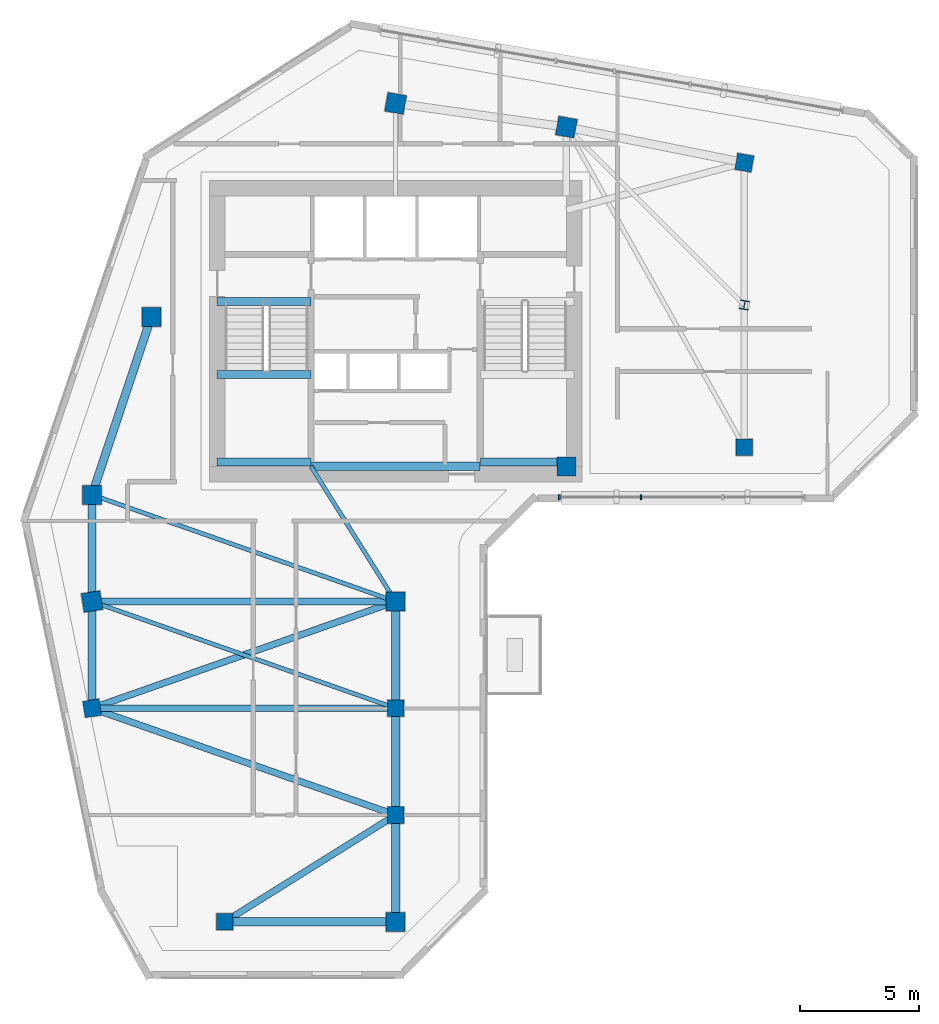
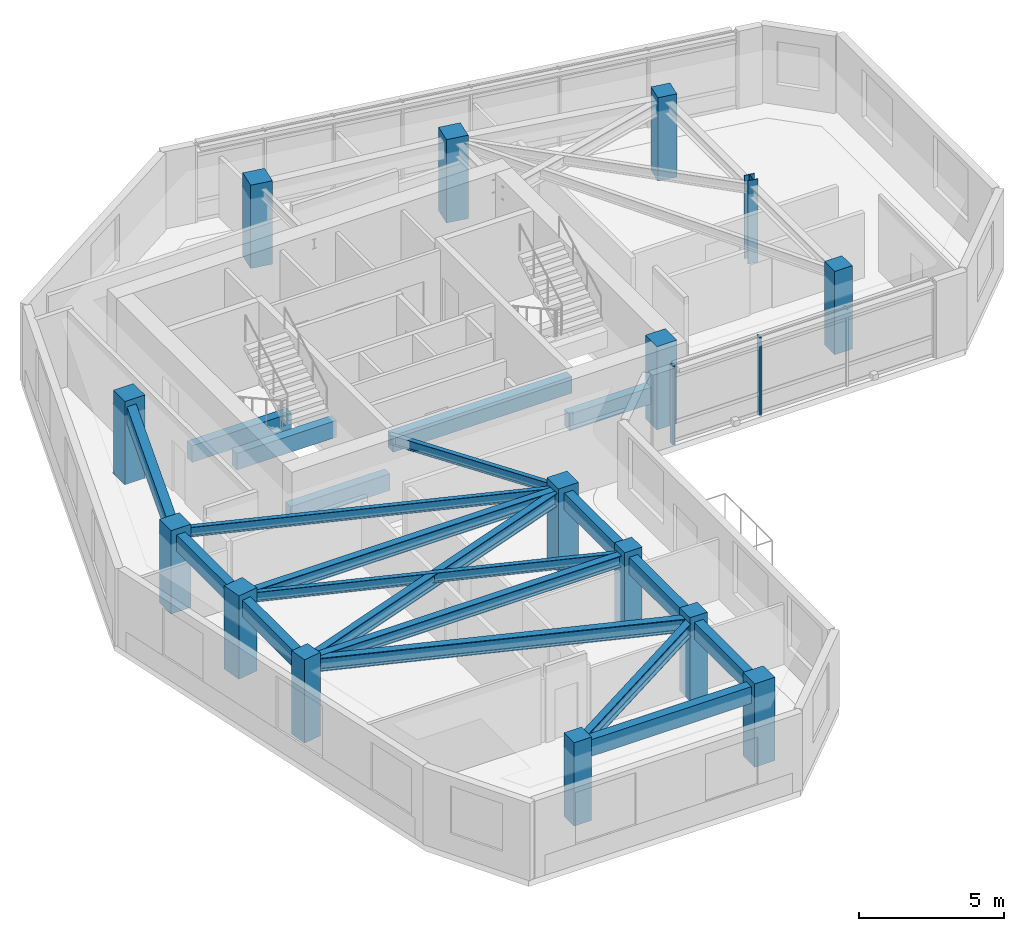
# One storey, part 1 of 9: 20 beams, 15 columns, 2 members, 1 element without a shape of its own.
"""IFC4 building model written with IfcOpenShell, lengths in metres."""

import ifcopenshell
import ifcopenshell.guid

model = None  # the IFC model being written
_history = None  # IfcOwnerHistory: only IFC2X3 demands one
_inside = {}  # id of a spatial element -> (the spatial element, [elements in it])
_under = {}  # id of a project, library or spatial element -> (it, [spatial elements below it])
_declared = {}  # id of a project -> (the project, [libraries it declares])
_typed = {}  # id of a type object -> (the type object, [elements of that type])
_made_of = {}  # id of a material, layer set ... -> (it, [elements and type objects made of it])


def new_model(schema):
    """Start an empty IFC model of exactly this schema.

    Asked for "IFC4X3", IfcOpenShell would pick the latest addendum, in which some entities
    have other attributes; the version numbers below select the first issue.
    IFC2X3 requires an IfcOwnerHistory on every rooted entity: one is made here for all.
    """
    global model, _history
    if schema == "IFC4X3":
        model = ifcopenshell.file(schema_version=(4, 3, 0, 0))
    else:
        model = ifcopenshell.file(schema=schema)
    _inside.clear()
    _under.clear()
    _declared.clear()
    _typed.clear()
    _made_of.clear()
    _history = None
    if model.schema == "IFC2X3":
        org = make("IfcOrganization", Name="unknown")
        user = make(
            "IfcPersonAndOrganization",
            ThePerson=make("IfcPerson", FamilyName="unknown"),
            TheOrganization=org,
        )
        app = make(
            "IfcApplication",
            ApplicationDeveloper=org,
            Version="unknown",
            ApplicationFullName="unknown",
            ApplicationIdentifier="unknown",
        )
        _history = make(
            "IfcOwnerHistory",
            OwningUser=user,
            OwningApplication=app,
            ChangeAction="ADDED",
            CreationDate=0,
        )
    return model


def make(cls, **values):
    """One entity of the class cls with the attributes given. An attribute that is None is left unset."""
    return model.create_entity(
        cls, **{name: value for name, value in values.items() if value is not None}
    )


def rooted(cls, **values):
    """An entity with a GlobalId (a new one), such as an element, a storey or a relation."""
    return make(cls, GlobalId=ifcopenshell.guid.new(), OwnerHistory=_history, **values)


def si_unit(unit_type, name, prefix=None):
    """IfcSIUnit, for example si_unit("LENGTHUNIT", "METRE", prefix="MILLI")."""
    return make("IfcSIUnit", UnitType=unit_type, Prefix=prefix, Name=name)


def assignment(units):
    """IfcUnitAssignment: the units of a project."""
    return None if units is None else make("IfcUnitAssignment", Units=units)


def point(xyz):
    """IfcCartesianPoint."""
    return None if xyz is None else make("IfcCartesianPoint", Coordinates=xyz)


def direction(xyz):
    """IfcDirection."""
    return None if xyz is None else make("IfcDirection", DirectionRatios=xyz)


def frame(location, z_axis=None, x_axis=None):
    """IfcAxis2Placement3D, a coordinate frame: its origin and axes. An axis left out is left unset."""
    return make(
        "IfcAxis2Placement3D",
        Location=point(location),
        Axis=direction(z_axis),
        RefDirection=direction(x_axis),
    )


def frame_2d(location, x_axis=None):
    """IfcAxis2Placement2D, a coordinate frame in the plane: its origin and x axis."""
    return make(
        "IfcAxis2Placement2D", Location=point(location), RefDirection=direction(x_axis)
    )


def origin():
    """The frame at (0, 0, 0) with its axes left unset."""
    return frame((0.0, 0.0, 0.0))


def origin_2d():
    """The frame at (0, 0) in the plane with its x axis left unset."""
    return frame_2d((0.0, 0.0))


def place(relative_to, where):
    """IfcLocalPlacement: puts the frame where relative to a parent placement (None: the world)."""
    return make(
        "IfcLocalPlacement", PlacementRelTo=relative_to, RelativePlacement=where
    )


def context(
    kind, dimensions, precision=None, world=None, true_north=None, identifier=None
):
    """IfcGeometricRepresentationContext, for example the 3D "Model" context."""
    return make(
        "IfcGeometricRepresentationContext",
        ContextIdentifier=identifier,
        ContextType=kind,
        CoordinateSpaceDimension=dimensions,
        Precision=precision,
        WorldCoordinateSystem=world,
        TrueNorth=true_north,
    )


def subcontext(parent, identifier, kind, view, scale=None):
    """IfcGeometricRepresentationSubContext, for example "Body" below "Model"."""
    return make(
        "IfcGeometricRepresentationSubContext",
        ContextIdentifier=identifier,
        ContextType=kind,
        ParentContext=parent,
        TargetScale=scale,
        TargetView=view,
    )


def project(units=None, contexts=None):
    """IfcProject with its units and contexts."""
    return rooted(
        "IfcProject",
        Name="project",
        RepresentationContexts=contexts,
        UnitsInContext=assignment(units),
    )


def spatial(cls, under=None, at=None, **own):
    """A site, building, storey or space (cls), placed at a placement, below another one or the project."""
    s = rooted(cls, ObjectPlacement=at, **own)
    if under is not None:
        _under.setdefault(under.id(), (under, []))[1].append(s)
    return s


def profile(cls, at=None, kind="AREA", **sizes):
    """A parametric profile (cls). Its sizes go by their IFC names, for example OverallWidth=200.0."""
    return make(cls, ProfileType=kind, Position=at, **sizes)


def rectangle(**sizes):
    """IfcRectangleProfileDef."""
    return profile("IfcRectangleProfileDef", **sizes)


def i_section(**sizes):
    """IfcIShapeProfileDef."""
    return profile("IfcIShapeProfileDef", **sizes)


def extrude(swept, where, along, depth):
    """IfcExtrudedAreaSolid: the profile swept, set in the frame where, extruded along a direction by depth."""
    return make(
        "IfcExtrudedAreaSolid",
        SweptArea=swept,
        Position=where,
        ExtrudedDirection=direction(along),
        Depth=depth,
    )


def shape(context_of_items, identifier, shape_type, items):
    """IfcShapeRepresentation: the items that make up one representation, for example the "Body"."""
    return make(
        "IfcShapeRepresentation",
        ContextOfItems=context_of_items,
        RepresentationIdentifier=identifier,
        RepresentationType=shape_type,
        Items=items,
    )


def source(mapping_origin, context_of_items, identifier, shape_type, items):
    """IfcRepresentationMap: a shape defined once, which mapped items show again and again."""
    return make(
        "IfcRepresentationMap",
        MappingOrigin=mapping_origin,
        MappedRepresentation=shape(context_of_items, identifier, shape_type, items),
    )


def transform(
    local_origin,
    x_axis=None,
    y_axis=None,
    z_axis=None,
    scale=None,
    scale2=None,
    scale3=None,
    uniform=True,
):
    """IfcCartesianTransformationOperator3D, or its non-uniform kind. x_axis, y_axis, z_axis: its Axis1, 2, 3."""
    if uniform:
        return make(
            "IfcCartesianTransformationOperator3D",
            Axis1=direction(x_axis),
            Axis2=direction(y_axis),
            LocalOrigin=point(local_origin),
            Scale=scale,
            Axis3=direction(z_axis),
        )
    return make(
        "IfcCartesianTransformationOperator3DnonUniform",
        Axis1=direction(x_axis),
        Axis2=direction(y_axis),
        LocalOrigin=point(local_origin),
        Scale=scale,
        Axis3=direction(z_axis),
        Scale2=scale2,
        Scale3=scale3,
    )


def mapped(mapping_source, mapping_target):
    """IfcMappedItem: shows the shape of a source again, moved by a transform."""
    return make(
        "IfcMappedItem", MappingSource=mapping_source, MappingTarget=mapping_target
    )


def material(Name=None, Category=None):
    """IfcMaterial."""
    return make("IfcMaterial", Name=Name, Category=Category)


def material_profile(
    of_material, cross_section, Name=None, Category=None, Priority=None
):
    """IfcMaterialProfile: a cross section and its material."""
    return make(
        "IfcMaterialProfile",
        Name=Name,
        Material=of_material,
        Profile=cross_section,
        Priority=Priority,
        Category=Category,
    )


def profile_set(profiles, Name=None, composite=None):
    """IfcMaterialProfileSet."""
    return make(
        "IfcMaterialProfileSet",
        Name=Name,
        MaterialProfiles=profiles,
        CompositeProfile=composite,
    )


def made_of(thing, what):
    """Note that an element or type object is made of a material, layer set ...; save() writes the relation."""
    if what is not None:
        _made_of.setdefault(what.id(), (what, []))[1].append(thing)
    return thing


def type_object(cls, material=None, **own):
    """A type object (cls), such as IfcWallType, which elements share."""
    return made_of(rooted(cls, **own), material)


def element(
    cls,
    number,
    at=None,
    inside=None,
    cuts=None,
    type_object=None,
    material=None,
    context=None,
    identifier="Body",
    shape_type=None,
    held_by="IfcProductDefinitionShape",
    body=None,
    shapes=None,
    **own,
):
    """One element of the class cls, such as IfcWall. Its Tag is "e" and its number.

    at: its placement. inside: the storey or other place that contains it. cuts: it is an
    opening in that element (IfcRelVoidsElement). A single representation is given by context,
    identifier, shape_type and body (its items); several are given by shapes. held_by: the class
    of the entity that holds the representations. save() writes the other relations.
    """
    e = rooted(cls, Tag="e%d" % number, ObjectPlacement=at, **own)
    if body is not None:
        shapes = [shape(context, identifier, shape_type, body)]
    if shapes is not None:
        e.Representation = make(held_by, Representations=shapes)
    if inside is not None:
        _inside.setdefault(inside.id(), (inside, []))[1].append(e)
    if cuts is not None:
        rooted(
            "IfcRelVoidsElement", RelatingBuildingElement=cuts, RelatedOpeningElement=e
        )
    if type_object is not None:
        _typed.setdefault(type_object.id(), (type_object, []))[1].append(e)
    return made_of(e, material)


def aggregate(whole, parts):
    """IfcRelAggregates: a whole, such as a stair, and the parts it consists of."""
    return rooted("IfcRelAggregates", RelatingObject=whole, RelatedObjects=parts)


def save(model, path):
    """Write the relations noted so far, then the file.

    IfcRelAggregates (storeys below a building ...), IfcRelContainedInSpatialStructure (elements
    in a storey), IfcRelDefinesByType, IfcRelAssociatesMaterial and IfcRelDeclares: one each for
    every whole, place, type object, material and project.
    """
    for whole, parts in _under.values():
        aggregate(whole, parts)
    for where, things in _inside.values():
        rooted(
            "IfcRelContainedInSpatialStructure",
            RelatedElements=things,
            RelatingStructure=where,
        )
    for kind, things in _typed.values():
        rooted("IfcRelDefinesByType", RelatedObjects=things, RelatingType=kind)
    for what, things in _made_of.values():
        rooted("IfcRelAssociatesMaterial", RelatedObjects=things, RelatingMaterial=what)
    for by, libraries in _declared.values():
        rooted("IfcRelDeclares", RelatingContext=by, RelatedDefinitions=libraries)
    model.write(path)


model = new_model("IFC4")

# Units and contexts
model_context = context("Model", 3, precision=1e-05, world=origin(), true_north=direction((0.0, 1.0)))
body_context = subcontext(model_context, "Body", "Model", "MODEL_VIEW")
ifc_project = project(units=[si_unit("LENGTHUNIT", "METRE"), si_unit("AREAUNIT", "SQUARE_METRE"), si_unit("VOLUMEUNIT", "CUBIC_METRE"), si_unit("PLANEANGLEUNIT", "RADIAN"), si_unit("MASSUNIT", "GRAM", prefix="KILO")], contexts=[model_context])

# Site, building, storey
site_placement = place(None, origin())
site = spatial("IfcSite", under=ifc_project, at=site_placement, CompositionType="ELEMENT")
building_placement = place(site_placement, origin())
building = spatial("IfcBuilding", under=site, at=building_placement, Name="Calvemar Wedge Station Tower", CompositionType="ELEMENT")
storey_placement = place(building_placement, frame((0.0, 0.0, 235.89990234375)))
storey = spatial("IfcBuildingStorey", under=building, at=storey_placement, Name="L60", CompositionType="ELEMENT", Elevation=235.89990234375)

# Columns
ifc_material_1 = material(Name="Concrete C50", Category="concrete")
ifc_material_profile_1 = material_profile(ifc_material_1, rectangle(XDim=0.800048828125, YDim=0.800048828125, at=origin_2d()), Name="RC800x800")
ifc_profile_set_1 = profile_set([ifc_material_profile_1], Name="Concrete C50")
column_type_1 = type_object("IfcColumnType", Name="COL-C6-800", PredefinedType="COLUMN", material=ifc_profile_set_1)
shared_shape_1 = source(origin(), body_context, "Body", "SweptSolid", [
    extrude(rectangle(XDim=0.800048828125, YDim=0.800048828125, at=origin_2d()), origin(), (0.0, 0.0, 1.0), 3.5),
])
for number, where, z_axis, x_axis, name in (
    (1, (11.0, 33.0, 0.0), (0.0, 0.0, 1.0), (1.0, 0.0, 0.0), "Storey L60 Column T-NW1"),
    (2, (13.5, 40.5, 0.0), (0.0, 0.0, 1.0), (1.0, 0.0, 0.0), "Storey L60 Column T-NW2"),
    (3, (23.800048828125, 49.5, 0.0), (0.0, 0.0, 1.0), (0.984195607969, -0.17708474032, 0.0), "Storey L60 Column T-N1"),
    (4, (31.0, 48.5, 0.0), (0.0, 0.0, 1.0), (0.984195607969, -0.17708474032, 0.0), "Storey L60 Column T-N2"),
    (5, (31.0, 34.199951171875, 0.0), (0.0, 0.0, 1.0), (1.0, 0.0, 0.0), "Storey L60 Column T-NL1"),
    (6, (11.0, 28.5, 0.0), (0.0, 0.0, 1.0), (0.158158067254, -0.987413806751, 0.0), "Storey L60 Column T-SW1"),
    (7, (23.800048828125, 28.5, 0.0), (0.0, 0.0, 1.0), (1.0, 0.0, 0.0), "Storey L60 Column T-SE1"),
    (8, (23.800048828125, 15.0, 0.0), (0.0, 0.0, 1.0), (1.0, 0.0, 0.0), "Storey L60 Column T-SE4"),
):
    element("IfcColumn", number, at=place(storey_placement, frame(where, z_axis=z_axis, x_axis=x_axis)), inside=storey, type_object=column_type_1, Name=name, PredefinedType="COLUMN", context=body_context, shape_type="MappedRepresentation", body=[
        mapped(shared_shape_1, transform((0.0, 0.0, 0.0), scale=1.0)),
    ])
ifc_material_profile_2 = material_profile(ifc_material_1, rectangle(XDim=0.699951171875, YDim=0.699951171875, at=origin_2d()), Name="RC700x700")
ifc_profile_set_2 = profile_set([ifc_material_profile_2], Name="Concrete C50")
column_type_2 = type_object("IfcColumnType", Name="COL-C7-700", PredefinedType="COLUMN", material=ifc_profile_set_2)
shared_shape_2 = source(origin(), body_context, "Body", "SweptSolid", [
    extrude(rectangle(XDim=0.699951171875, YDim=0.699951171875, at=origin_2d()), origin(), (0.0, 0.0, 1.0), 3.5),
])
for number, where, z_axis, x_axis, name in (
    (9, (38.5, 47.0, 0.0), (0.0, 0.0, 1.0), (0.984195607969, -0.17708474032, 0.0), "Storey L60 Column T-NU3"),
    (10, (38.5, 35.0, 0.0), (0.0, 0.0, 1.0), (1.0, 0.0, 0.0), "Storey L60 Column T-NL2"),
    (11, (11.0, 24.0, 0.0), (0.0, 0.0, 1.0), (0.158158067254, -0.987413806751, 0.0), "Storey L60 Column T-SW2"),
    (12, (23.800048828125, 24.0, 0.0), (0.0, 0.0, 1.0), (1.0, 0.0, 0.0), "Storey L60 Column T-SE2"),
    (13, (23.800048828125, 19.5, 0.0), (0.0, 0.0, 1.0), (1.0, 0.0, 0.0), "Storey L60 Column T-SE3"),
    (14, (16.60009765625, 15.0, 0.0), (0.0, 0.0, 1.0), (1.0, 0.0, 0.0), "Storey L60 Column T-SM1"),
):
    element("IfcColumn", number, at=place(storey_placement, frame(where, z_axis=z_axis, x_axis=x_axis)), inside=storey, type_object=column_type_2, Name=name, PredefinedType="COLUMN", context=body_context, shape_type="MappedRepresentation", body=[
        mapped(shared_shape_2, transform((0.0, 0.0, 0.0), scale=1.0)),
    ])
ifc_material_2 = material(Name="Structural steel ASTM A572 Grade 50", Category="steel")
ifc_material_profile_3 = material_profile(ifc_material_2, i_section(OverallWidth=0.3740234375, OverallDepth=0.3720703125, WebThickness=0.016357421875, FlangeThickness=0.026123046875, FilletRadius=0.014892578125, at=origin_2d()), Name="W360x196")
ifc_profile_set_3 = profile_set([ifc_material_profile_3], Name="Structural steel ASTM A572 Grade 50")
column_type_3 = type_object("IfcColumnType", Name="COL-STL-W360", PredefinedType="COLUMN", material=ifc_profile_set_3)
shared_shape_3 = source(origin(), body_context, "Body", "SweptSolid", [
    extrude(i_section(OverallWidth=0.3740234375, OverallDepth=0.3720703125, WebThickness=0.016357421875, FlangeThickness=0.026123046875, FilletRadius=0.014892578125, at=origin_2d()), origin(), (0.0, 0.0, 1.0), 3.5),
])
column_placement = place(storey_placement, frame((38.5, 41.0, 0.0), z_axis=(0.0, 0.0, 1.0), x_axis=(0.984195607969, -0.17708474032, 0.0)))
element("IfcColumn", 15, at=column_placement, inside=storey, type_object=column_type_3, Name="Storey L60 Column T-NTIP-B", PredefinedType="COLUMN", context=body_context, shape_type="MappedRepresentation", body=[
    mapped(shared_shape_3, transform((0.0, 0.0, 0.0), scale=1.0)),
])

# Beams
ifc_material_profile_4 = material_profile(ifc_material_2, i_section(OverallWidth=0.177978515625, OverallDepth=0.406982421875, WebThickness=0.0078125, FlangeThickness=0.0126953125, FilletRadius=0.010009765625, at=origin_2d()), Name="W410x60")
ifc_profile_set_4 = profile_set([ifc_material_profile_4], Name="Structural steel ASTM A572 Grade 50")
beam_type_1 = type_object("IfcBeamType", Name="BM-J3-W410", PredefinedType="JOIST", material=ifc_profile_set_4)
shared_shape_4 = source(origin(), body_context, "Body", "SweptSolid", [
    extrude(i_section(OverallWidth=0.177978515625, OverallDepth=0.406982421875, WebThickness=0.0078125, FlangeThickness=0.0126953125, FilletRadius=0.010009765625, at=origin_2d()), origin(), (0.0, 0.0, 1.0), 13.568115234375),
])
for number, where, z_axis, x_axis, name in (
    (16, (11.0, 33.0, 3.046630859375), (0.943398221169, -0.331662171939, 0.0), (0.331662171939, 0.943398221169, 0.0), "Storey L60 Floor Beam T-NW1-T-SE1"),
    (17, (11.0, 28.5, 3.046630859375), (0.943398221169, -0.331662171939, 0.0), (0.331662171939, 0.943398221169, 0.0), "Storey L60 Floor Beam T-SW1-T-SE2"),
):
    element("IfcBeam", number, at=place(storey_placement, frame(where, z_axis=z_axis, x_axis=x_axis)), inside=storey, type_object=beam_type_1, Name=name, PredefinedType="JOIST", context=body_context, shape_type="MappedRepresentation", body=[
        mapped(shared_shape_4, transform((0.0, 0.0, 0.0), scale=1.0)),
    ])
ifc_material_profile_5 = material_profile(ifc_material_2, i_section(OverallWidth=0.279052734375, OverallDepth=0.553955078125, WebThickness=0.017578125, FlangeThickness=0.029541015625, FilletRadius=0.014892578125, at=origin_2d()), Name="W530x196")
ifc_profile_set_5 = profile_set([ifc_material_profile_5], Name="Structural steel ASTM A572 Grade 50")
beam_type_2 = type_object("IfcBeamType", Name="BM-SB3-W530H", PredefinedType="BEAM", material=ifc_profile_set_5)
shared_shape_5 = source(origin(), body_context, "Body", "SweptSolid", [
    extrude(i_section(OverallWidth=0.279052734375, OverallDepth=0.553955078125, WebThickness=0.017578125, FlangeThickness=0.029541015625, FilletRadius=0.014892578125, at=origin_2d()), origin(), (0.0, 0.0, 1.0), 13.568115234375),
])
for number, where, z_axis, x_axis, name in (
    (18, (23.800048828125, 28.5, 2.97314453125), (-0.943398221169, -0.331662171939, 0.0), (0.331662171939, -0.943398221169, 0.0), "Storey L60 Floor Beam T-SE1-T-SW2"),
    (19, (11.0, 24.0, 2.97314453125), (0.943398221169, -0.331662171939, 0.0), (0.331662171939, 0.943398221169, 0.0), "Storey L60 Floor Beam T-SW2-T-SE3"),
):
    element("IfcBeam", number, at=place(storey_placement, frame(where, z_axis=z_axis, x_axis=x_axis)), inside=storey, type_object=beam_type_2, Name=name, PredefinedType="BEAM", context=body_context, shape_type="MappedRepresentation", body=[
        mapped(shared_shape_5, transform((0.0, 0.0, 0.0), scale=1.0)),
    ])
shared_shape_6 = source(origin(), body_context, "Body", "SweptSolid", [
    extrude(i_section(OverallWidth=0.279052734375, OverallDepth=0.553955078125, WebThickness=0.017578125, FlangeThickness=0.029541015625, FilletRadius=0.014892578125, at=origin_2d()), origin(), (0.0, 0.0, 1.0), 8.490478515625),
])
beam_1_placement = place(storey_placement, frame((23.800048828125, 19.5, 2.97314453125), z_axis=(-0.847996688584, -0.530001524668, 0.0), x_axis=(0.530001524668, -0.847996688584, 0.0)))
element("IfcBeam", 20, at=beam_1_placement, inside=storey, type_object=beam_type_2, Name="Storey L60 Floor Beam T-SE3-T-SM1", PredefinedType="BEAM", context=body_context, shape_type="MappedRepresentation", body=[
    mapped(shared_shape_6, transform((0.0, 0.0, 0.0), scale=1.0)),
])
shared_shape_7 = source(origin(), body_context, "Body", "SweptSolid", [
    extrude(i_section(OverallWidth=0.177978515625, OverallDepth=0.406982421875, WebThickness=0.0078125, FlangeThickness=0.0126953125, FilletRadius=0.010009765625, at=origin_2d()), origin(), (0.0, 0.0, 1.0), 6.7255859375),
])
beam_2_placement = place(storey_placement, frame((20.22998046875, 34.199951171875, 3.046630859375), z_axis=(0.530811158438, -0.847490126242, 0.0), x_axis=(0.847490126242, 0.530811158438, 0.0)))
element("IfcBeam", 21, at=beam_2_placement, inside=storey, type_object=beam_type_1, Name="Storey L60 Core-to-Column Joist CJ-S2", PredefinedType="JOIST", context=body_context, shape_type="MappedRepresentation", body=[
    mapped(shared_shape_7, transform((0.0, 0.0, 0.0), scale=1.0)),
])
ifc_material_3 = material(Name="Concrete C70", Category="concrete")
ifc_material_profile_6 = material_profile(ifc_material_3, rectangle(XDim=0.35009765625, YDim=0.699951171875, at=origin_2d()), Name="RC350x700")
ifc_profile_set_6 = profile_set([ifc_material_profile_6], Name="Concrete C70")
beam_type_3 = type_object("IfcBeamType", Name="BM-LN1-700", PredefinedType="LINTEL", material=ifc_profile_set_6)
shared_shape_8 = source(origin(), body_context, "Body", "SweptSolid", [
    extrude(rectangle(XDim=0.35009765625, YDim=0.699951171875, at=origin_2d()), origin(), (0.0, 0.0, 1.0), 7.10009765625),
])
beam_3_placement = place(storey_placement, frame((20.25, 34.199951171875, 2.900146484375), z_axis=(1.0, 0.0, 0.0), x_axis=(0.0, 1.0, 0.0)))
element("IfcBeam", 22, at=beam_3_placement, inside=storey, type_object=beam_type_3, Name="Storey L60 Core Coupling Lintel South", PredefinedType="LINTEL", context=body_context, shape_type="MappedRepresentation", body=[
    mapped(shared_shape_8, transform((0.0, 0.0, 0.0), scale=1.0)),
])
shared_shape_9 = source(origin(), body_context, "Body", "SweptSolid", [
    extrude(rectangle(XDim=0.35009765625, YDim=0.699951171875, at=origin_2d()), origin(), (0.0, 0.0, 1.0), 3.955078125),
])
for number, where, z_axis, x_axis, name in (
    (23, (16.27490234375, 41.14990234375, -0.349853515625), (1.0, 0.0, 0.0), (0.0, 1.0, 0.0), "Storey L60 Stair ST-C1 Landing Trimmer Beam"),
    (24, (16.27490234375, 34.3798828125, 1.2001953125), (1.0, 0.0, 0.0), (0.0, 1.0, 0.0), "Storey L60 Stair ST-C1 Half-Landing Beam 1A"),
    (25, (16.27490234375, 38.070068359375, 1.2001953125), (1.0, 0.0, 0.0), (0.0, 1.0, 0.0), "Storey L60 Stair ST-C1 Half-Landing Beam 1B"),
):
    element("IfcBeam", number, at=place(storey_placement, frame(where, z_axis=z_axis, x_axis=x_axis)), inside=storey, type_object=beam_type_3, Name=name, PredefinedType="LINTEL", context=body_context, shape_type="MappedRepresentation", body=[
        mapped(shared_shape_9, transform((0.0, 0.0, 0.0), scale=1.0)),
    ])
shared_shape_10 = source(origin(), body_context, "Body", "SweptSolid", [
    extrude(rectangle(XDim=0.35009765625, YDim=0.699951171875, at=origin_2d()), origin(), (0.0, 0.0, 1.0), 3.954833984375),
])
beam_4_placement = place(storey_placement, frame((27.3701171875, 34.3798828125, 1.2001953125), z_axis=(1.0, 0.0, 0.0), x_axis=(0.0, 1.0, 0.0)))
element("IfcBeam", 26, at=beam_4_placement, inside=storey, type_object=beam_type_3, Name="Storey L60 Stair ST-C2 Half-Landing Beam 1A", PredefinedType="LINTEL", context=body_context, shape_type="MappedRepresentation", body=[
    mapped(shared_shape_10, transform((0.0, 0.0, 0.0), scale=1.0)),
])
ifc_material_profile_7 = material_profile(ifc_material_1, rectangle(XDim=0.35009765625, YDim=0.699951171875, at=origin_2d()), Name="RC350x700")
ifc_profile_set_7 = profile_set([ifc_material_profile_7], Name="Concrete C50")
beam_type_4 = type_object("IfcBeamType", Name="BM-SP2-700", PredefinedType="SPANDREL", material=ifc_profile_set_7)
shared_shape_11 = source(origin(), body_context, "Body", "SweptSolid", [
    extrude(rectangle(XDim=0.35009765625, YDim=0.699951171875, at=origin_2d()), origin(), (0.0, 0.0, 1.0), 7.90576171875),
])
beam_5_placement = place(storey_placement, frame((11.0, 33.0, 2.900146484375), z_axis=(0.316227766017, 0.948683298051, 0.0), x_axis=(-0.948683298051, 0.316227766017, 0.0)))
element("IfcBeam", 27, at=beam_5_placement, inside=storey, type_object=beam_type_4, Name="Storey L60 Spandrel T-NW1-T-NW2", PredefinedType="SPANDREL", context=body_context, shape_type="MappedRepresentation", body=[
    mapped(shared_shape_11, transform((0.0, 0.0, 0.0), scale=1.0)),
])
shared_shape_12 = source(origin(), body_context, "Body", "SweptSolid", [
    extrude(rectangle(XDim=0.35009765625, YDim=0.699951171875, at=origin_2d()), origin(), (0.0, 0.0, 1.0), 4.5),
])
for number, where, z_axis, x_axis, name in (
    (28, (11.0, 33.0, 2.900146484375), (0.0, -1.0, 0.0), (1.0, 0.0, 0.0), "Storey L60 Spandrel T-NW1-T-SW1"),
    (29, (11.0, 28.5, 2.900146484375), (0.0, -1.0, 0.0), (1.0, 0.0, 0.0), "Storey L60 Spandrel T-SW1-T-SW2"),
    (30, (23.800048828125, 28.5, 2.900146484375), (0.0, -1.0, 0.0), (1.0, 0.0, 0.0), "Storey L60 Spandrel T-SE1-T-SE2"),
    (31, (23.800048828125, 24.0, 2.900146484375), (0.0, -1.0, 0.0), (1.0, 0.0, 0.0), "Storey L60 Spandrel T-SE2-T-SE3"),
    (32, (23.800048828125, 19.5, 2.900146484375), (0.0, -1.0, 0.0), (1.0, 0.0, 0.0), "Storey L60 Spandrel T-SE3-T-SE4"),
):
    element("IfcBeam", number, at=place(storey_placement, frame(where, z_axis=z_axis, x_axis=x_axis)), inside=storey, type_object=beam_type_4, Name=name, PredefinedType="SPANDREL", context=body_context, shape_type="MappedRepresentation", body=[
        mapped(shared_shape_12, transform((0.0, 0.0, 0.0), scale=1.0)),
    ])
shared_shape_13 = source(origin(), body_context, "Body", "SweptSolid", [
    extrude(rectangle(XDim=0.35009765625, YDim=0.699951171875, at=origin_2d()), origin(), (0.0, 0.0, 1.0), 7.199951171875),
])
beam_6_placement = place(storey_placement, frame((16.60009765625, 15.0, 2.900146484375), z_axis=(1.0, 0.0, 0.0), x_axis=(0.0, 1.0, 0.0)))
element("IfcBeam", 33, at=beam_6_placement, inside=storey, type_object=beam_type_4, Name="Storey L60 Spandrel T-SM1-T-SE4", PredefinedType="SPANDREL", context=body_context, shape_type="MappedRepresentation", body=[
    mapped(shared_shape_13, transform((0.0, 0.0, 0.0), scale=1.0)),
])
ifc_material_profile_8 = material_profile(ifc_material_2, i_section(OverallWidth=0.283935546875, OverallDepth=0.47607421875, WebThickness=0.014892578125, FlangeThickness=0.02392578125, FilletRadius=0.014892578125, at=origin_2d()), Name="W460x158")
ifc_profile_set_8 = profile_set([ifc_material_profile_8], Name="Structural steel ASTM A572 Grade 50")
beam_type_5 = type_object("IfcBeamType", Name="BM-SB5-W460H", PredefinedType="BEAM", material=ifc_profile_set_8)
shared_shape_14 = source(origin(), body_context, "Body", "SweptSolid", [
    extrude(i_section(OverallWidth=0.283935546875, OverallDepth=0.47607421875, WebThickness=0.014892578125, FlangeThickness=0.02392578125, FilletRadius=0.014892578125, at=origin_2d()), origin(), (0.0, 0.0, 1.0), 12.800048828125),
])
for number, where, z_axis, x_axis, name in (
    (34, (11.0, 28.5, 3.01220703125), (1.0, 0.0, 0.0), (0.0, 1.0, 0.0), "Storey L60 Floor Beam T-SW1-T-SE1"),
    (35, (11.0, 24.0, 3.01220703125), (1.0, 0.0, 0.0), (0.0, 1.0, 0.0), "Storey L60 Floor Beam T-SW2-T-SE2"),
):
    element("IfcBeam", number, at=place(storey_placement, frame(where, z_axis=z_axis, x_axis=x_axis)), inside=storey, type_object=beam_type_5, Name=name, PredefinedType="BEAM", context=body_context, shape_type="MappedRepresentation", body=[
        mapped(shared_shape_14, transform((0.0, 0.0, 0.0), scale=1.0)),
    ])

# Curtain wall, members
ifc_material_4 = material(Name="Anodised aluminium 6063-T6", Category="aluminium")
curtain_wall_type = type_object("IfcCurtainWallType", Name="CW3", PredefinedType="NOTDEFINED", material=ifc_material_4)
curtain_wall_placement = place(storey_placement, origin())
curtain_wall = element("IfcCurtainWall", 36, at=curtain_wall_placement, inside=storey, type_object=curtain_wall_type, Name="Storey L60 CW3 Recessed Unitised Curtain Wall 6", PredefinedType="NOTDEFINED")
ifc_material_profile_9 = material_profile(ifc_material_4, rectangle(XDim=0.074951171875, YDim=0.2099609375, at=origin_2d()), Name="AL-MUL-75x210")
ifc_profile_set_9 = profile_set([ifc_material_profile_9], Name="Anodised aluminium 6063-T6")
member_type = type_object("IfcMemberType", Name="CW3-MUL", PredefinedType="MULLION", material=ifc_profile_set_9)
shared_shape_15 = source(origin(), body_context, "Body", "SweptSolid", [
    extrude(rectangle(XDim=0.074951171875, YDim=0.2099609375, at=origin_2d()), origin(), (0.0, 0.0, 1.0), 3.2998046875),
])
member_1_placement = place(storey_placement, frame((30.701904296875, 32.902099609375, -0.0498046875), z_axis=(0.0, 0.0, 1.0), x_axis=(1.0, 0.0, 0.0)))
member_1 = element("IfcMember", 37, at=member_1_placement, type_object=member_type, Name="CW3 mullion 1", PredefinedType="MULLION", context=body_context, shape_type="MappedRepresentation", body=[
    mapped(shared_shape_15, transform((0.0, 0.0, 0.0), scale=1.0)),
])
member_2_placement = place(storey_placement, frame((34.147216796875, 32.902099609375, -0.0498046875), z_axis=(0.0, 0.0, 1.0), x_axis=(1.0, 0.0, 0.0)))
member_2 = element("IfcMember", 38, at=member_2_placement, type_object=member_type, Name="CW3 mullion 2", PredefinedType="MULLION", context=body_context, shape_type="MappedRepresentation", body=[
    mapped(shared_shape_15, transform((0.0, 0.0, 0.0), scale=1.0)),
])
aggregate(curtain_wall, [member_1, member_2])

save(model, "model.ifc")
